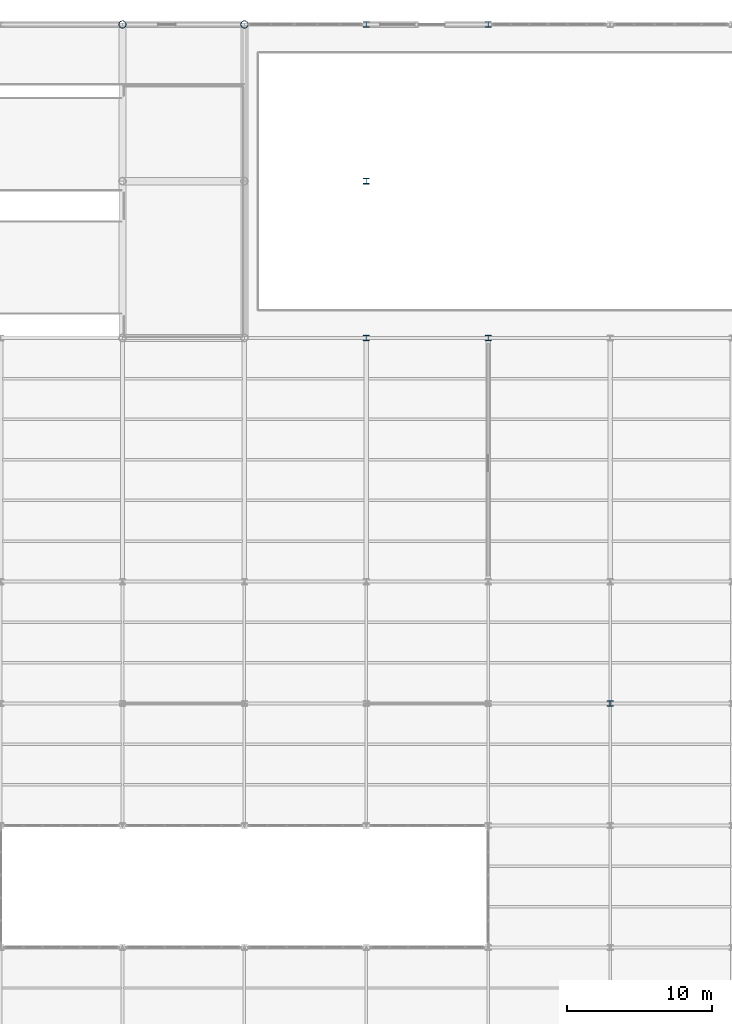
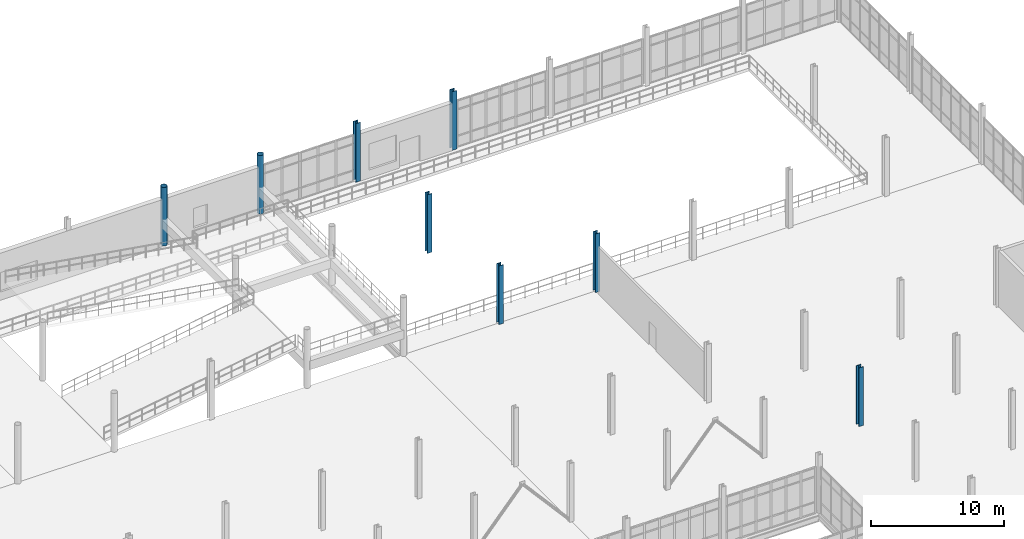
# One storey, part 10 of 111: 8 columns.
"""IFC4 building model written with IfcOpenShell, lengths in metres."""

from ifc_helpers import new_model, si_unit, direction, frame, origin, origin_2d, place, context, subcontext, project, spatial, hollow_circle, i_section, extrude, material, material_profile, profile_set, type_object, element, save


model = new_model("IFC4")

# Units and contexts
model_context = context("Model", 3, precision=1e-05, world=origin(), true_north=direction((0.0, 1.0)))
body_context = subcontext(model_context, "Body", "Model", "MODEL_VIEW")
ifc_project = project(units=[si_unit("LENGTHUNIT", "METRE"), si_unit("AREAUNIT", "SQUARE_METRE"), si_unit("VOLUMEUNIT", "CUBIC_METRE"), si_unit("PLANEANGLEUNIT", "RADIAN"), si_unit("MASSUNIT", "GRAM", prefix="KILO"), si_unit("THERMODYNAMICTEMPERATUREUNIT", "KELVIN"), si_unit("POWERUNIT", "WATT")], contexts=[model_context])

# Site, building, storey
site_placement = place(None, origin())
site = spatial("IfcSite", under=ifc_project, at=site_placement, CompositionType="ELEMENT")
building_placement = place(site_placement, origin())
building = spatial("IfcBuilding", under=site, at=building_placement, Name="Tembeka Court Mobility Hub", CompositionType="ELEMENT")
storey_placement = place(building_placement, origin())
storey = spatial("IfcBuildingStorey", under=building, at=storey_placement, Name="L00", CompositionType="ELEMENT", Elevation=0.0)

# Columns
ifc_material = material(Name="Steel S355", Category="steel")
ifc_material_profile_1 = material_profile(ifc_material, i_section(OverallWidth=0.39892578125, OverallDepth=0.39404296875, WebThickness=0.022705078125, FlangeThickness=0.03662109375, FilletRadius=0.01513671875, at=origin_2d()), Name="UKC 356x406x287")
ifc_profile_set_1 = profile_set([ifc_material_profile_1], Name="Steel S355")
column_type_1 = type_object("IfcColumnType", Name="COL-C01", PredefinedType="COLUMN", material=ifc_profile_set_1)
for number, where, z_axis, x_axis, name in (
    (1, (50.39990234375, 97.199951171875, 0.0), (0.0, 0.0, 1.0), (1.0, 0.0, 0.0), "Column C01 (L00-080)"),
    (2, (50.39990234375, 108.0, 0.0), (0.0, 0.0, 1.0), (1.0, 0.0, 0.0), "Column C01 (L00-081)"),
    (3, (50.39990234375, 118.800048828125, 0.0), (0.0, 0.0, 1.0), (1.0, 0.0, 0.0), "Column C01 (L00-082)"),
    (4, (58.800048828125, 97.199951171875, 0.0), (0.0, 0.0, 1.0), (1.0, 0.0, 0.0), "Column C01 (L00-091)"),
    (5, (58.800048828125, 118.800048828125, 0.0), (0.0, 0.0, 1.0), (1.0, 0.0, 0.0), "Column C01 (L00-092)"),
    (6, (67.199951171875, 72.0, 0.0), (0.0, 0.0, 1.0), (1.0, 0.0, 0.0), "Column C01 (L00-099)"),
):
    element("IfcColumn", number, at=place(storey_placement, frame(where, z_axis=z_axis, x_axis=x_axis)), inside=storey, type_object=column_type_1, Name=name, PredefinedType="COLUMN", context=body_context, shape_type="SweptSolid", body=[
        extrude(i_section(OverallWidth=0.39892578125, OverallDepth=0.39404296875, WebThickness=0.022705078125, FlangeThickness=0.03662109375, FilletRadius=0.01513671875, at=origin_2d()), origin(), (0.0, 0.0, 1.0), 5.39990234375),
    ])
ifc_material_profile_2 = material_profile(ifc_material, hollow_circle(Radius=0.25390625, WallThickness=0.01611328125, at=origin_2d()), Name="CHS 508x16")
ifc_profile_set_2 = profile_set([ifc_material_profile_2], Name="Steel S355")
column_type_2 = type_object("IfcColumnType", Name="COL-C08", PredefinedType="COLUMN", material=ifc_profile_set_2)
for number, where, z_axis, x_axis, name in (
    (7, (33.60009765625, 118.800048828125, 0.0), (0.0, 0.0, 1.0), (1.0, 0.0, 0.0), "Column C08 (L00-058)"),
    (8, (42.0, 118.800048828125, 0.0), (0.0, 0.0, 1.0), (1.0, 0.0, 0.0), "Column C08 (L00-070)"),
):
    element("IfcColumn", number, at=place(storey_placement, frame(where, z_axis=z_axis, x_axis=x_axis)), inside=storey, type_object=column_type_2, Name=name, PredefinedType="COLUMN", context=body_context, shape_type="SweptSolid", body=[
        extrude(hollow_circle(Radius=0.25390625, WallThickness=0.01611328125, at=origin_2d()), origin(), (0.0, 0.0, 1.0), 5.39990234375),
    ])

save(model, "model.ifc")
